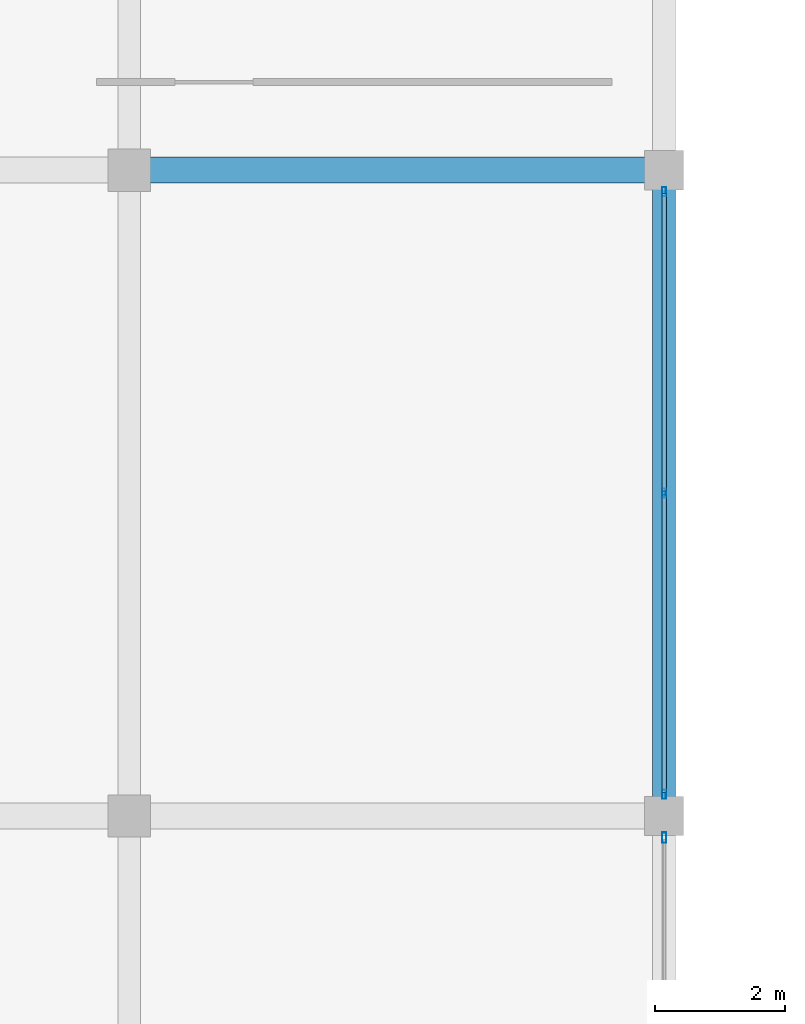
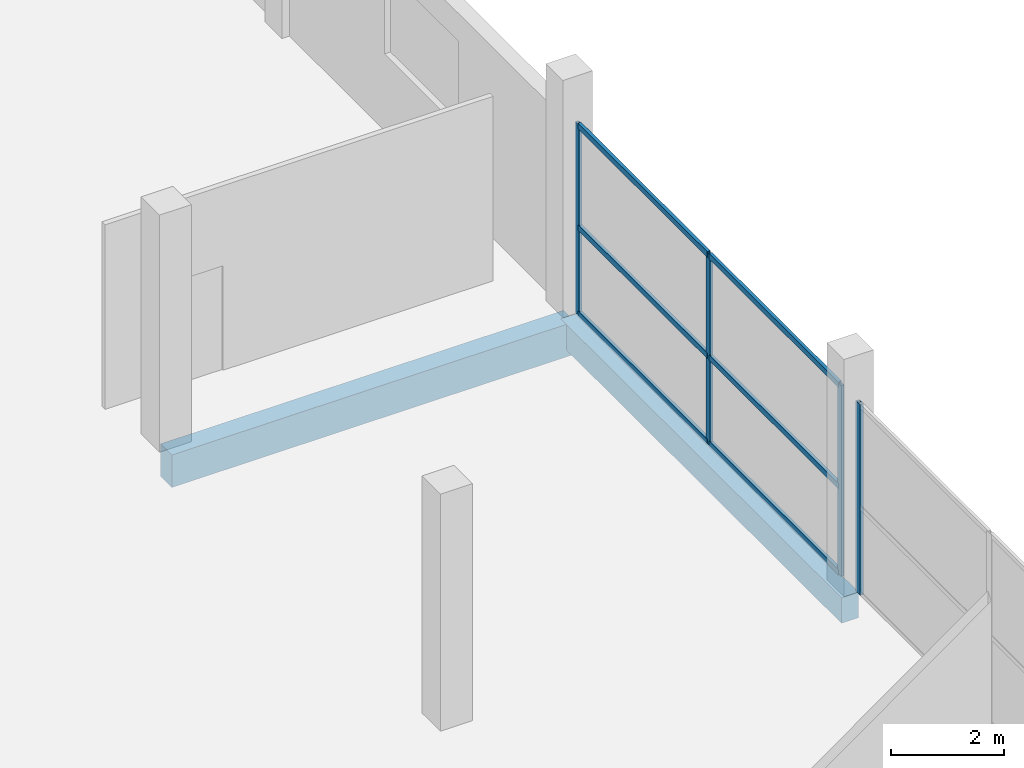
# One storey, part 35 of 58: 10 members, 2 beams, 2 elements without a shape of their own.
"""IFC4 building model written with IfcOpenShell, lengths in metres."""

from ifc_helpers import new_model, si_unit, direction, frame, origin, origin_2d, place, context, subcontext, project, spatial, rectangle, hollow_rectangle, extrude, material, layer, layer_set, material_profile, profile_set, type_object, element, aggregate, save


model = new_model("IFC4")

# Units and contexts
model_context = context("Model", 3, precision=1e-05, world=origin(), true_north=direction((0.0, 1.0)))
body_context = subcontext(model_context, "Body", "Model", "MODEL_VIEW")
ifc_project = project(units=[si_unit("LENGTHUNIT", "METRE"), si_unit("AREAUNIT", "SQUARE_METRE"), si_unit("VOLUMEUNIT", "CUBIC_METRE"), si_unit("PLANEANGLEUNIT", "RADIAN"), si_unit("MASSUNIT", "GRAM", prefix="KILO")], contexts=[model_context])

# Site, building, storey
site_placement = place(None, origin())
site = spatial("IfcSite", under=ifc_project, at=site_placement, CompositionType="ELEMENT")
building_placement = place(site_placement, origin())
building = spatial("IfcBuilding", under=site, at=building_placement, Name="Sillaruma Civic Art Gallery", CompositionType="ELEMENT")
storey_placement = place(building_placement, frame((0.0, 0.0, 52.02001953125)))
storey = spatial("IfcBuildingStorey", under=building, at=storey_placement, Name="L10", CompositionType="ELEMENT", Elevation=52.02001953125)

# Beams
ifc_material_1 = material(Name="Concrete H35 (35 MPa)", Category="concrete")
ifc_material_profile_1 = material_profile(ifc_material_1, rectangle(XDim=0.39990234375, YDim=0.699951171875, at=origin_2d()), Name="RCB400x700")
ifc_profile_set_1 = profile_set([ifc_material_profile_1], Name="Concrete H35 (35 MPa)")
beam_type_1 = type_object("IfcBeamType", Name="BM-BEAM-RCB400x700", PredefinedType="BEAM", material=ifc_profile_set_1)
beam_1_placement = place(storey_placement, frame((106.199951171875, 79.199951171875, -0.60009765625), z_axis=(1.0, 0.0, 0.0), x_axis=(0.0, 1.0, 0.0)))
element("IfcBeam", 1, at=beam_1_placement, inside=storey, type_object=beam_type_1, Name="Beam BM-04 (L09:9:M-N)", PredefinedType="BEAM", context=body_context, shape_type="SweptSolid", body=[
    extrude(rectangle(XDim=0.39990234375, YDim=0.699951171875, at=origin_2d()), origin(), (0.0, 0.0, 1.0), 8.199951171875),
])
ifc_material_profile_2 = material_profile(ifc_material_1, rectangle(XDim=0.35009765625, YDim=0.550048828125, at=origin_2d()), Name="RCB350x550")
ifc_profile_set_2 = profile_set([ifc_material_profile_2], Name="Concrete H35 (35 MPa)")
beam_type_2 = type_object("IfcBeamType", Name="BM-SPANDREL-RCB350x550", PredefinedType="SPANDREL", material=ifc_profile_set_2)
beam_2_placement = place(storey_placement, frame((114.39990234375, 69.300048828125, -0.52490234375), z_axis=(0.0, 1.0, 0.0), x_axis=(-1.0, 0.0, 0.0)))
element("IfcBeam", 2, at=beam_2_placement, inside=storey, type_object=beam_type_2, Name="Beam BS-04 (L09:N:8-9)", PredefinedType="SPANDREL", context=body_context, shape_type="SweptSolid", body=[
    extrude(rectangle(XDim=0.35009765625, YDim=0.550048828125, at=origin_2d()), origin(), (0.0, 0.0, 1.0), 9.89990234375),
])

# Curtain wall, members
ifc_material_2 = material(Name="Thermally Broken Extruded Aluminium 6063-T6", Category="aluminium")
ifc_layer_1 = layer(ifc_material_2, 0.139892578125, Name="Thermally Broken Extruded Aluminium 6063-T6")
ifc_layer_set_1 = layer_set([ifc_layer_1], Name="Thermally Broken Extruded Aluminium 6063-T6")
curtain_wall_type_1 = type_object("IfcCurtainWallType", Name="CW-UNI-82", PredefinedType="NOTDEFINED", material=ifc_layer_set_1)
curtain_wall_1_placement = place(storey_placement, origin())
curtain_wall_1 = element("IfcCurtainWall", 3, at=curtain_wall_1_placement, inside=storey, type_object=curtain_wall_type_1, Name="Unitised Curtain Wall CW-82 (CW-L10-EBE-6)", PredefinedType="NOTDEFINED")
ifc_material_profile_3 = material_profile(ifc_material_2, hollow_rectangle(XDim=0.06005859375, YDim=0.139892578125, WallThickness=0.00341796875, at=origin_2d()), Name="CWM60x140")
ifc_profile_set_3 = profile_set([ifc_material_profile_3], Name="Thermally Broken Extruded Aluminium 6063-T6")
member_type_1 = type_object("IfcMemberType", Name="MEM-MUL-CWM60x140", PredefinedType="MULLION", material=ifc_profile_set_3)
member_1_placement = place(storey_placement, frame((114.39990234375, 69.6298828125, 0.0), z_axis=(0.0, 0.0, 1.0), x_axis=(-1.0, 0.0, 0.0)))
member_1 = element("IfcMember", 4, at=member_1_placement, type_object=member_type_1, Name="CW-82 mullion 1", PredefinedType="MULLION", context=body_context, shape_type="SweptSolid", body=[
    extrude(hollow_rectangle(XDim=0.06005859375, YDim=0.139892578125, WallThickness=0.00341796875, at=origin_2d()), origin(), (0.0, 0.0, 1.0), 4.10009765625),
])
member_2_placement = place(storey_placement, frame((114.39990234375, 74.25, 0.0), z_axis=(0.0, 0.0, 1.0), x_axis=(-1.0, 0.0, 0.0)))
member_2 = element("IfcMember", 5, at=member_2_placement, type_object=member_type_1, Name="CW-82 mullion 2", PredefinedType="MULLION", context=body_context, shape_type="SweptSolid", body=[
    extrude(hollow_rectangle(XDim=0.06005859375, YDim=0.139892578125, WallThickness=0.00341796875, at=origin_2d()), origin(), (0.0, 0.0, 1.0), 4.10009765625),
])
member_3_placement = place(storey_placement, frame((114.39990234375, 78.8701171875, 0.0), z_axis=(0.0, 0.0, 1.0), x_axis=(-1.0, 0.0, 0.0)))
member_3 = element("IfcMember", 6, at=member_3_placement, type_object=member_type_1, Name="CW-82 mullion 3", PredefinedType="MULLION", context=body_context, shape_type="SweptSolid", body=[
    extrude(hollow_rectangle(XDim=0.06005859375, YDim=0.139892578125, WallThickness=0.00341796875, at=origin_2d()), origin(), (0.0, 0.0, 1.0), 4.10009765625),
])

# Curtain wall, member
ifc_layer_2 = layer(ifc_material_2, 0.159912109375, Name="Thermally Broken Extruded Aluminium 6063-T6")
ifc_layer_set_2 = layer_set([ifc_layer_2], Name="Thermally Broken Extruded Aluminium 6063-T6")
curtain_wall_type_2 = type_object("IfcCurtainWallType", Name="CW-UNI-81", PredefinedType="NOTDEFINED", material=ifc_layer_set_2)
curtain_wall_2_placement = place(storey_placement, origin())
curtain_wall_2 = element("IfcCurtainWall", 7, at=curtain_wall_2_placement, inside=storey, type_object=curtain_wall_type_2, Name="Unitised Curtain Wall CW-81 (CW-L10-EBE-5)", PredefinedType="NOTDEFINED")
ifc_material_profile_4 = material_profile(ifc_material_2, hollow_rectangle(XDim=0.06494140625, YDim=0.159912109375, WallThickness=0.00390625, at=origin_2d()), Name="CWM65x160")
ifc_profile_set_4 = profile_set([ifc_material_profile_4], Name="Thermally Broken Extruded Aluminium 6063-T6")
member_type_2 = type_object("IfcMemberType", Name="MEM-MUL-CWM65x160", PredefinedType="MULLION", material=ifc_profile_set_4)
member_4_placement = place(storey_placement, frame((114.39990234375, 68.967529296875, 0.0), z_axis=(0.0, 0.0, 1.0), x_axis=(-1.0, 0.0, 0.0)))
member_4 = element("IfcMember", 8, at=member_4_placement, type_object=member_type_2, Name="CW-81 mullion 3", PredefinedType="MULLION", context=body_context, shape_type="SweptSolid", body=[
    extrude(hollow_rectangle(XDim=0.06494140625, YDim=0.159912109375, WallThickness=0.00390625, at=origin_2d()), origin(), (0.0, 0.0, 1.0), 4.10009765625),
])
aggregate(curtain_wall_2, [member_4])

# Member
ifc_material_profile_5 = material_profile(ifc_material_2, hollow_rectangle(XDim=0.06494140625, YDim=0.1201171875, WallThickness=0.00341796875, at=origin_2d()), Name="CWT65x120")
ifc_profile_set_5 = profile_set([ifc_material_profile_5], Name="Thermally Broken Extruded Aluminium 6063-T6")
member_type_3 = type_object("IfcMemberType", Name="MEM-TRN-CWT65x120", PredefinedType="USERDEFINED", material=ifc_profile_set_5)
member_5_placement = place(storey_placement, frame((114.39990234375, 69.659912109375, 0.032470703125), z_axis=(0.0, 1.0, 0.0), x_axis=(-1.0, 0.0, 0.0)))
member_5 = element("IfcMember", 9, at=member_5_placement, type_object=member_type_3, Name="CW-82 transom 1.1", ObjectType="TRANSOM", PredefinedType="USERDEFINED", context=body_context, shape_type="SweptSolid", body=[
    extrude(hollow_rectangle(XDim=0.06494140625, YDim=0.1201171875, WallThickness=0.00341796875, at=origin_2d()), origin(), (0.0, 0.0, 1.0), 4.56005859375),
])

member_6_placement = place(storey_placement, frame((114.39990234375, 69.659912109375, 1.885986328125), z_axis=(0.0, 1.0, 0.0), x_axis=(-1.0, 0.0, 0.0)))
member_6 = element("IfcMember", 10, at=member_6_placement, type_object=member_type_3, Name="CW-82 transom 1.2", ObjectType="TRANSOM", PredefinedType="USERDEFINED", context=body_context, shape_type="SweptSolid", body=[
    extrude(hollow_rectangle(XDim=0.06494140625, YDim=0.1201171875, WallThickness=0.00341796875, at=origin_2d()), origin(), (0.0, 0.0, 1.0), 4.56005859375),
])

member_7_placement = place(storey_placement, frame((114.39990234375, 69.659912109375, 4.0673828125), z_axis=(0.0, 1.0, 0.0), x_axis=(-1.0, 0.0, 0.0)))
member_7 = element("IfcMember", 11, at=member_7_placement, type_object=member_type_3, Name="CW-82 transom 1.3", ObjectType="TRANSOM", PredefinedType="USERDEFINED", context=body_context, shape_type="SweptSolid", body=[
    extrude(hollow_rectangle(XDim=0.06494140625, YDim=0.1201171875, WallThickness=0.00341796875, at=origin_2d()), origin(), (0.0, 0.0, 1.0), 4.56005859375),
])

member_8_placement = place(storey_placement, frame((114.39990234375, 74.280029296875, 0.032470703125), z_axis=(0.0, 1.0, 0.0), x_axis=(-1.0, 0.0, 0.0)))
member_8 = element("IfcMember", 12, at=member_8_placement, type_object=member_type_3, Name="CW-82 transom 2.1", ObjectType="TRANSOM", PredefinedType="USERDEFINED", context=body_context, shape_type="SweptSolid", body=[
    extrude(hollow_rectangle(XDim=0.06494140625, YDim=0.1201171875, WallThickness=0.00341796875, at=origin_2d()), origin(), (0.0, 0.0, 1.0), 4.56005859375),
])

member_9_placement = place(storey_placement, frame((114.39990234375, 74.280029296875, 1.885986328125), z_axis=(0.0, 1.0, 0.0), x_axis=(-1.0, 0.0, 0.0)))
member_9 = element("IfcMember", 13, at=member_9_placement, type_object=member_type_3, Name="CW-82 transom 2.2", ObjectType="TRANSOM", PredefinedType="USERDEFINED", context=body_context, shape_type="SweptSolid", body=[
    extrude(hollow_rectangle(XDim=0.06494140625, YDim=0.1201171875, WallThickness=0.00341796875, at=origin_2d()), origin(), (0.0, 0.0, 1.0), 4.56005859375),
])

member_10_placement = place(storey_placement, frame((114.39990234375, 74.280029296875, 4.0673828125), z_axis=(0.0, 1.0, 0.0), x_axis=(-1.0, 0.0, 0.0)))
member_10 = element("IfcMember", 14, at=member_10_placement, type_object=member_type_3, Name="CW-82 transom 2.3", ObjectType="TRANSOM", PredefinedType="USERDEFINED", context=body_context, shape_type="SweptSolid", body=[
    extrude(hollow_rectangle(XDim=0.06494140625, YDim=0.1201171875, WallThickness=0.00341796875, at=origin_2d()), origin(), (0.0, 0.0, 1.0), 4.56005859375),
])

aggregate(curtain_wall_1, [member_1, member_2, member_3, member_5, member_6, member_7, member_8, member_9, member_10])

save(model, "model.ifc")
